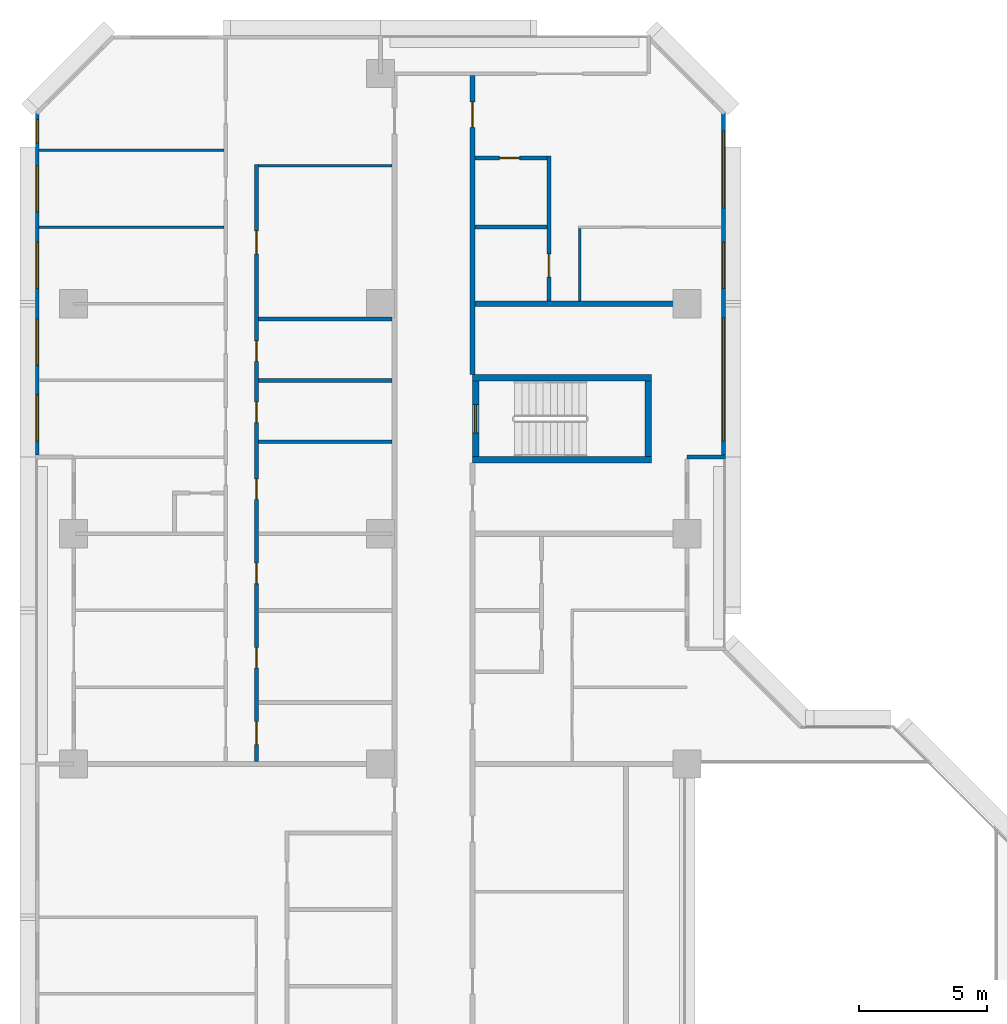
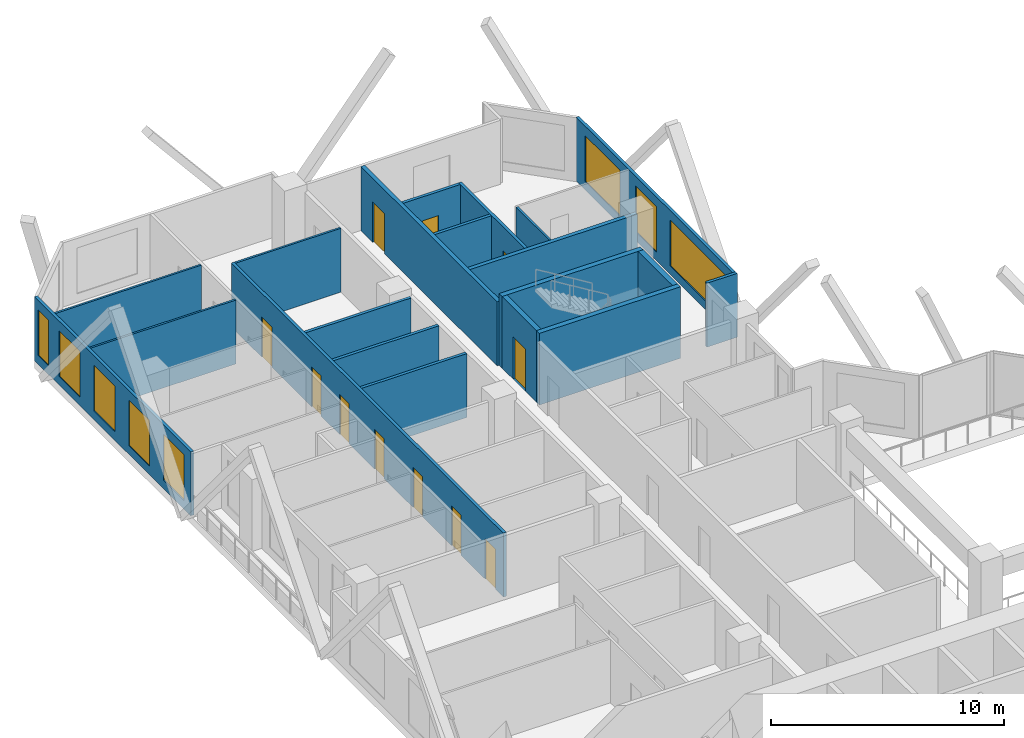
# One storey, part 10 of 15: 20 walls, 11 doors, 8 windows, 19 openings.
"""IFC4 building model written with IfcOpenShell, lengths in metres."""

from ifc_helpers import new_model, si_unit, direction, frame, frame_2d, origin, place, context, subcontext, project, spatial, rectangle, extrude, material, layer, layer_set, type_object, element, fill, save


model = new_model("IFC4")

# Units and contexts
model_context = context("Model", 3, precision=1e-05, world=origin(), true_north=direction((0.0, 1.0)))
body_context = subcontext(model_context, "Body", "Model", "MODEL_VIEW")
ifc_project = project(units=[si_unit("LENGTHUNIT", "METRE"), si_unit("AREAUNIT", "SQUARE_METRE"), si_unit("VOLUMEUNIT", "CUBIC_METRE"), si_unit("PLANEANGLEUNIT", "RADIAN"), si_unit("MASSUNIT", "GRAM", prefix="KILO")], contexts=[model_context])

# Site, building, storey
site_placement = place(None, origin())
site = spatial("IfcSite", under=ifc_project, at=site_placement, CompositionType="ELEMENT")
building_placement = place(site_placement, origin())
building = spatial("IfcBuilding", under=site, at=building_placement, Name="Chenar Terraces", CompositionType="ELEMENT")
storey_placement = place(building_placement, frame((0.0, 0.0, 56.39990234375)))
storey = spatial("IfcBuildingStorey", under=building, at=storey_placement, Name="L11", CompositionType="ELEMENT", Elevation=56.39990234375)

# Walls
ifc_material_1 = material(Name="Concrete C70/85", Category="concrete")
ifc_layer_1 = layer(ifc_material_1, 0.25)
ifc_layer_set_1 = layer_set([ifc_layer_1], Name="Concrete C70/85")
wall_type_1 = type_object("IfcWallType", Name="Core wall 250 Concrete C70/85", PredefinedType="SHEAR", material=ifc_layer_set_1)
for number, where, z_axis, x_axis, name in (
    (1, (15.60009765625, 47.89990234375, 0.0), (0.0, 0.0, 1.0), (1.0, 0.0, 0.0), "Core wall ST4_S L11"),
    (2, (15.60009765625, 51.10009765625, 0.0), (0.0, 0.0, 1.0), (1.0, 0.0, 0.0), "Core wall ST4_N L11"),
):
    element("IfcWall", number, at=place(storey_placement, frame(where, z_axis=z_axis, x_axis=x_axis)), inside=storey, type_object=wall_type_1, Name=name, PredefinedType="SHEAR", context=body_context, shape_type="SweptSolid", body=[
        extrude(rectangle(XDim=7.0, YDim=0.25, at=frame_2d((3.5, 0.0))), origin(), (0.0, 0.0, 1.0), 3.75),
    ])

# Wall, opening, door
wall_1_placement = place(storey_placement, frame((15.72509765625, 48.02490234375, 0.0), z_axis=(0.0, 0.0, 1.0), x_axis=(0.0, 1.0, 0.0)))
wall_1 = element("IfcWall", 3, at=wall_1_placement, inside=storey, type_object=wall_type_1, Name="Core wall ST4_W L11", PredefinedType="SHEAR", context=body_context, shape_type="SweptSolid", body=[
    extrude(rectangle(XDim=2.9501953125, YDim=0.25, at=frame_2d((1.47509765625, 0.0))), origin(), (0.0, 0.0, 1.0), 3.75),
])
opening_1_placement = place(wall_1_placement, frame((0.925048828125, 0.0, 0.0)))
opening_1 = element("IfcOpeningElement", 4, at=opening_1_placement, cuts=wall_1, Name="Opening DL11-C9", PredefinedType="OPENING", context=body_context, shape_type="SweptSolid", body=[
    extrude(rectangle(XDim=1.10009765625, YDim=2.199951171875, at=frame_2d((0.550048828125, 1.10009765625))), frame((0.0, 0.135009765625, 0.0), z_axis=(0.0, -1.0, 0.0), x_axis=(1.0, 0.0, 0.0)), (0.0, 0.0, 1.0), 0.27001953125),
])
ifc_material_2 = material(Name="Steel-framed fire-resisting door leaf", Category="steel")
door_type_1 = type_object("IfcDoorType", Name="Stair fire door FD60 1100 x 2200", OperationType="SINGLE_SWING_LEFT", PredefinedType="DOOR", material=ifc_material_2)
door_1_placement = place(opening_1_placement, frame((1.10009765625, 0.0, 0.0), z_axis=(0.0, 0.0, 1.0), x_axis=(-1.0, 0.0, 0.0)))
door_1 = element("IfcDoor", 5, at=door_1_placement, inside=storey, type_object=door_type_1, Name="Stair door DL11-C9", OperationType="SINGLE_SWING_RIGHT", OverallHeight=2.199951171875, OverallWidth=1.10009765625, PredefinedType="DOOR", context=body_context, shape_type="SweptSolid", body=[
    extrude(rectangle(XDim=1.10009765625, YDim=2.199951171875, at=frame_2d((0.550048828125, 1.10009765625))), frame((0.0, 0.02490234375, 0.0), z_axis=(0.0, -1.0, 0.0), x_axis=(1.0, 0.0, 0.0)), (0.0, 0.0, 1.0), 0.050048828125),
])
fill(opening_1, door_1)

# Wall
wall_2_placement = place(storey_placement, frame((22.47509765625, 48.02490234375, 0.0), z_axis=(0.0, 0.0, 1.0), x_axis=(0.0, 1.0, 0.0)))
element("IfcWall", 6, at=wall_2_placement, inside=storey, type_object=wall_type_1, Name="Core wall ST4_E L11", PredefinedType="SHEAR", context=body_context, shape_type="SweptSolid", body=[
    extrude(rectangle(XDim=2.9501953125, YDim=0.25, at=frame_2d((1.47509765625, 0.0))), origin(), (0.0, 0.0, 1.0), 3.75),
])

# Wall, opening, door
ifc_material_3 = material(Name="Gypsum board on steel studs with fire boards", Category="steel")
ifc_layer_2 = layer(ifc_material_3, 0.199951171875)
ifc_layer_set_2 = layer_set([ifc_layer_2], Name="Gypsum board on steel studs with fire boards")
wall_type_2 = type_object("IfcWallType", Name="Corridor wall 200", PredefinedType="PARTITIONING", material=ifc_layer_set_2)
wall_3_placement = place(storey_placement, frame((15.60009765625, 51.22509765625, 0.0), z_axis=(0.0, 0.0, 1.0), x_axis=(0.0, 1.0, 0.0)))
wall_3 = element("IfcWall", 7, at=wall_3_placement, inside=storey, type_object=wall_type_2, Name="Partition L11-038", PredefinedType="PARTITIONING", context=body_context, shape_type="SweptSolid", body=[
    extrude(rectangle(XDim=11.700927734375, YDim=0.199951171875, at=frame_2d((5.8505859375, 0.0))), origin(), (0.0, 0.0, 1.0), 3.35009765625),
])
opening_2_placement = place(wall_3_placement, frame((9.675048828125, 0.0, 0.0)))
opening_2 = element("IfcOpeningElement", 8, at=opening_2_placement, cuts=wall_3, Name="Opening DL11-31", PredefinedType="OPENING", context=body_context, shape_type="SweptSolid", body=[
    extrude(rectangle(XDim=1.0, YDim=2.10009765625, at=frame_2d((0.5, 1.050048828125))), frame((0.0, 0.10986328125, 0.0), z_axis=(0.0, -1.0, 0.0), x_axis=(1.0, 0.0, 0.0)), (0.0, 0.0, 1.0), 0.219970703125),
])
ifc_material_4 = material(Name="Steel-framed fire-resisting door leaf", Category="steel")
door_type_2 = type_object("IfcDoorType", Name="Fire door FD30S 1000 x 2100", OperationType="SINGLE_SWING_LEFT", PredefinedType="DOOR", material=ifc_material_4)
door_2_placement = place(opening_2_placement, frame((1.0, 0.0, 0.0), z_axis=(0.0, 0.0, 1.0), x_axis=(-1.0, 0.0, 0.0)))
door_2 = element("IfcDoor", 9, at=door_2_placement, inside=storey, type_object=door_type_2, Name="Door DL11-31", OperationType="SINGLE_SWING_LEFT", OverallHeight=2.10009765625, OverallWidth=1.0, PredefinedType="DOOR", context=body_context, shape_type="SweptSolid", body=[
    extrude(rectangle(XDim=1.0, YDim=2.10009765625, at=frame_2d((0.5, 1.050048828125))), frame((0.0, 0.02490234375, 0.0), z_axis=(0.0, -1.0, 0.0), x_axis=(1.0, 0.0, 0.0)), (0.0, 0.0, 1.0), 0.050048828125),
])
fill(opening_2, door_2)

# Wall, openings, windows
ifc_material_5 = material(Name="Aluminium framed glazing", Category="aluminium")
ifc_layer_3 = layer(ifc_material_5, 0.14990234375)
ifc_layer_set_3 = layer_set([ifc_layer_3], Name="Aluminium framed glazing")
wall_type_3 = type_object("IfcWallType", Name="Glazed flush facade wall 150", PredefinedType="SOLIDWALL", material=ifc_layer_set_3)
wall_4_placement = place(storey_placement, frame((25.425048828125, 48.074951171875, 0.0), z_axis=(0.0, 0.0, 1.0), x_axis=(0.0, 1.0, 0.0)))
wall_4 = element("IfcWall", 10, at=wall_4_placement, inside=storey, type_object=wall_type_3, Name="Glazed flush facade wall", PredefinedType="SOLIDWALL", context=body_context, shape_type="SweptSolid", body=[
    extrude(rectangle(XDim=13.425048828125, YDim=0.14990234375, at=frame_2d((6.71240234375, 0.0))), origin(), (0.0, 0.0, 1.0), 3.35009765625),
])
opening_3_placement = place(wall_4_placement, frame((0.5625, 0.0, 0.449951171875)))
opening_3 = element("IfcOpeningElement", 11, at=opening_3_placement, cuts=wall_4, Name="Opening W480x240", PredefinedType="OPENING", context=body_context, shape_type="SweptSolid", body=[
    extrude(rectangle(XDim=4.800048828125, YDim=2.39990234375, at=frame_2d((2.39990234375, 1.199951171875))), frame((0.0, 0.0849609375, 0.0), z_axis=(0.0, -1.0, 0.0), x_axis=(1.0, 0.0, 0.0)), (0.0, 0.0, 1.0), 0.169921875),
])
opening_4_placement = place(wall_4_placement, frame((6.52490234375, 0.0, 0.449951171875)))
opening_4 = element("IfcOpeningElement", 12, at=opening_4_placement, cuts=wall_4, Name="Opening W180x240", PredefinedType="OPENING", context=body_context, shape_type="SweptSolid", body=[
    extrude(rectangle(XDim=1.800048828125, YDim=2.39990234375, at=frame_2d((0.89990234375, 1.199951171875))), frame((0.0, 0.0849609375, 0.0), z_axis=(0.0, -1.0, 0.0), x_axis=(1.0, 0.0, 0.0)), (0.0, 0.0, 1.0), 0.169921875),
])
opening_5_placement = place(wall_4_placement, frame((9.675048828125, 0.0, 0.449951171875)))
opening_5 = element("IfcOpeningElement", 13, at=opening_5_placement, cuts=wall_4, Name="Opening W300x240", PredefinedType="OPENING", context=body_context, shape_type="SweptSolid", body=[
    extrude(rectangle(XDim=3.0, YDim=2.39990234375, at=frame_2d((1.5, 1.199951171875))), frame((0.0, 0.0849609375, 0.0), z_axis=(0.0, -1.0, 0.0), x_axis=(1.0, 0.0, 0.0)), (0.0, 0.0, 1.0), 0.169921875),
])
ifc_material_6 = material(Name="Low emissivity double glazing, aluminium frame", Category="aluminium")
window_type_1 = type_object("IfcWindowType", Name="Fixed light 1800 x 2400", PartitioningType="SINGLE_PANEL", PredefinedType="WINDOW", material=ifc_material_6)
window_1_placement = place(opening_4_placement, origin())
window_1 = element("IfcWindow", 14, at=window_1_placement, inside=storey, type_object=window_type_1, Name="Window", OverallHeight=2.39990234375, OverallWidth=1.800048828125, PartitioningType="SINGLE_PANEL", PredefinedType="WINDOW", context=body_context, shape_type="SweptSolid", body=[
    extrude(rectangle(XDim=1.800048828125, YDim=2.39990234375, at=frame_2d((0.89990234375, 1.199951171875))), frame((0.0, 0.030029296875, 0.0), z_axis=(0.0, -1.0, 0.0), x_axis=(1.0, 0.0, 0.0)), (0.0, 0.0, 1.0), 0.06005859375),
])
fill(opening_4, window_1)
ifc_material_7 = material(Name="Low emissivity double glazing, aluminium frame", Category="aluminium")
window_type_2 = type_object("IfcWindowType", Name="Fixed light 3000 x 2400", PartitioningType="SINGLE_PANEL", PredefinedType="WINDOW", material=ifc_material_7)
window_2_placement = place(opening_5_placement, origin())
window_2 = element("IfcWindow", 15, at=window_2_placement, inside=storey, type_object=window_type_2, Name="Window", OverallHeight=2.39990234375, OverallWidth=3.0, PartitioningType="SINGLE_PANEL", PredefinedType="WINDOW", context=body_context, shape_type="SweptSolid", body=[
    extrude(rectangle(XDim=3.0, YDim=2.39990234375, at=frame_2d((1.5, 1.199951171875))), frame((0.0, 0.030029296875, 0.0), z_axis=(0.0, -1.0, 0.0), x_axis=(1.0, 0.0, 0.0)), (0.0, 0.0, 1.0), 0.06005859375),
])
fill(opening_5, window_2)
ifc_material_8 = material(Name="Low emissivity double glazing, aluminium frame", Category="aluminium")
window_type_3 = type_object("IfcWindowType", Name="Fixed light 4800 x 2400", PartitioningType="SINGLE_PANEL", PredefinedType="WINDOW", material=ifc_material_8)
window_3_placement = place(opening_3_placement, origin())
window_3 = element("IfcWindow", 16, at=window_3_placement, inside=storey, type_object=window_type_3, Name="Window", OverallHeight=2.39990234375, OverallWidth=4.800048828125, PartitioningType="SINGLE_PANEL", PredefinedType="WINDOW", context=body_context, shape_type="SweptSolid", body=[
    extrude(rectangle(XDim=4.800048828125, YDim=2.39990234375, at=frame_2d((2.39990234375, 1.199951171875))), frame((0.0, 0.030029296875, 0.0), z_axis=(0.0, -1.0, 0.0), x_axis=(1.0, 0.0, 0.0)), (0.0, 0.0, 1.0), 0.06005859375),
])
fill(opening_3, window_3)

wall_5_placement = place(storey_placement, frame((-1.425048828125, 61.5, 0.0), z_axis=(0.0, 0.0, 1.0), x_axis=(0.0, -1.0, 0.0)))
wall_5 = element("IfcWall", 17, at=wall_5_placement, inside=storey, type_object=wall_type_3, Name="Glazed flush facade wall", PredefinedType="SOLIDWALL", context=body_context, shape_type="SweptSolid", body=[
    extrude(rectangle(XDim=13.425048828125, YDim=0.14990234375, at=frame_2d((6.71240234375, 0.0))), origin(), (0.0, 0.0, 1.0), 3.35009765625),
])
opening_6_placement = place(wall_5_placement, frame((0.300048828125, 0.0, 0.449951171875)))
opening_6 = element("IfcOpeningElement", 18, at=opening_6_placement, cuts=wall_5, Name="Opening W90x240", PredefinedType="OPENING", context=body_context, shape_type="SweptSolid", body=[
    extrude(rectangle(XDim=0.89990234375, YDim=2.39990234375, at=frame_2d((0.449951171875, 1.199951171875))), frame((0.0, 0.0849609375, 0.0), z_axis=(0.0, -1.0, 0.0), x_axis=(1.0, 0.0, 0.0)), (0.0, 0.0, 1.0), 0.169921875),
])
opening_7_placement = place(wall_5_placement, frame((2.10009765625, 0.0, 0.449951171875)))
opening_7 = element("IfcOpeningElement", 19, at=opening_7_placement, cuts=wall_5, Name="Opening W180x240", PredefinedType="OPENING", context=body_context, shape_type="SweptSolid", body=[
    extrude(rectangle(XDim=1.800048828125, YDim=2.39990234375, at=frame_2d((0.89990234375, 1.199951171875))), frame((0.0, 0.0849609375, 0.0), z_axis=(0.0, -1.0, 0.0), x_axis=(1.0, 0.0, 0.0)), (0.0, 0.0, 1.0), 0.169921875),
])
opening_8_placement = place(wall_5_placement, frame((5.10009765625, 0.0, 0.449951171875)))
opening_8 = element("IfcOpeningElement", 20, at=opening_8_placement, cuts=wall_5, Name="Opening W180x240", PredefinedType="OPENING", context=body_context, shape_type="SweptSolid", body=[
    extrude(rectangle(XDim=1.800048828125, YDim=2.39990234375, at=frame_2d((0.89990234375, 1.199951171875))), frame((0.0, 0.0849609375, 0.0), z_axis=(0.0, -1.0, 0.0), x_axis=(1.0, 0.0, 0.0)), (0.0, 0.0, 1.0), 0.169921875),
])
opening_9_placement = place(wall_5_placement, frame((8.10009765625, 0.0, 0.449951171875)))
opening_9 = element("IfcOpeningElement", 21, at=opening_9_placement, cuts=wall_5, Name="Opening W180x240", PredefinedType="OPENING", context=body_context, shape_type="SweptSolid", body=[
    extrude(rectangle(XDim=1.800048828125, YDim=2.39990234375, at=frame_2d((0.89990234375, 1.199951171875))), frame((0.0, 0.0849609375, 0.0), z_axis=(0.0, -1.0, 0.0), x_axis=(1.0, 0.0, 0.0)), (0.0, 0.0, 1.0), 0.169921875),
])
opening_10_placement = place(wall_5_placement, frame((11.0625, 0.0, 0.449951171875)))
opening_10 = element("IfcOpeningElement", 22, at=opening_10_placement, cuts=wall_5, Name="Opening W180x240", PredefinedType="OPENING", context=body_context, shape_type="SweptSolid", body=[
    extrude(rectangle(XDim=1.800048828125, YDim=2.39990234375, at=frame_2d((0.89990234375, 1.199951171875))), frame((0.0, 0.0849609375, 0.0), z_axis=(0.0, -1.0, 0.0), x_axis=(1.0, 0.0, 0.0)), (0.0, 0.0, 1.0), 0.169921875),
])
window_4_placement = place(opening_7_placement, origin())
window_4 = element("IfcWindow", 23, at=window_4_placement, inside=storey, type_object=window_type_1, Name="Window", OverallHeight=2.39990234375, OverallWidth=1.800048828125, PartitioningType="SINGLE_PANEL", PredefinedType="WINDOW", context=body_context, shape_type="SweptSolid", body=[
    extrude(rectangle(XDim=1.800048828125, YDim=2.39990234375, at=frame_2d((0.89990234375, 1.199951171875))), frame((0.0, 0.030029296875, 0.0), z_axis=(0.0, -1.0, 0.0), x_axis=(1.0, 0.0, 0.0)), (0.0, 0.0, 1.0), 0.06005859375),
])
fill(opening_7, window_4)
window_5_placement = place(opening_8_placement, origin())
window_5 = element("IfcWindow", 24, at=window_5_placement, inside=storey, type_object=window_type_1, Name="Window", OverallHeight=2.39990234375, OverallWidth=1.800048828125, PartitioningType="SINGLE_PANEL", PredefinedType="WINDOW", context=body_context, shape_type="SweptSolid", body=[
    extrude(rectangle(XDim=1.800048828125, YDim=2.39990234375, at=frame_2d((0.89990234375, 1.199951171875))), frame((0.0, 0.030029296875, 0.0), z_axis=(0.0, -1.0, 0.0), x_axis=(1.0, 0.0, 0.0)), (0.0, 0.0, 1.0), 0.06005859375),
])
fill(opening_8, window_5)
window_6_placement = place(opening_9_placement, origin())
window_6 = element("IfcWindow", 25, at=window_6_placement, inside=storey, type_object=window_type_1, Name="Window", OverallHeight=2.39990234375, OverallWidth=1.800048828125, PartitioningType="SINGLE_PANEL", PredefinedType="WINDOW", context=body_context, shape_type="SweptSolid", body=[
    extrude(rectangle(XDim=1.800048828125, YDim=2.39990234375, at=frame_2d((0.89990234375, 1.199951171875))), frame((0.0, 0.030029296875, 0.0), z_axis=(0.0, -1.0, 0.0), x_axis=(1.0, 0.0, 0.0)), (0.0, 0.0, 1.0), 0.06005859375),
])
fill(opening_9, window_6)
window_7_placement = place(opening_10_placement, origin())
window_7 = element("IfcWindow", 26, at=window_7_placement, inside=storey, type_object=window_type_1, Name="Window", OverallHeight=2.39990234375, OverallWidth=1.800048828125, PartitioningType="SINGLE_PANEL", PredefinedType="WINDOW", context=body_context, shape_type="SweptSolid", body=[
    extrude(rectangle(XDim=1.800048828125, YDim=2.39990234375, at=frame_2d((0.89990234375, 1.199951171875))), frame((0.0, 0.030029296875, 0.0), z_axis=(0.0, -1.0, 0.0), x_axis=(1.0, 0.0, 0.0)), (0.0, 0.0, 1.0), 0.06005859375),
])
fill(opening_10, window_7)
ifc_material_9 = material(Name="Low emissivity double glazing, aluminium frame", Category="aluminium")
window_type_4 = type_object("IfcWindowType", Name="Fixed light 900 x 2400", PartitioningType="SINGLE_PANEL", PredefinedType="WINDOW", material=ifc_material_9)
window_8_placement = place(opening_6_placement, origin())
window_8 = element("IfcWindow", 27, at=window_8_placement, inside=storey, type_object=window_type_4, Name="Window", OverallHeight=2.39990234375, OverallWidth=0.89990234375, PartitioningType="SINGLE_PANEL", PredefinedType="WINDOW", context=body_context, shape_type="SweptSolid", body=[
    extrude(rectangle(XDim=0.89990234375, YDim=2.39990234375, at=frame_2d((0.449951171875, 1.199951171875))), frame((0.0, 0.030029296875, 0.0), z_axis=(0.0, -1.0, 0.0), x_axis=(1.0, 0.0, 0.0)), (0.0, 0.0, 1.0), 0.06005859375),
])
fill(opening_6, window_8)

# Walls
ifc_material_10 = material(Name="Gypsum board on steel studs", Category="steel")
ifc_layer_4 = layer(ifc_material_10, 0.10009765625)
ifc_layer_set_4 = layer_set([ifc_layer_4], Name="Gypsum board on steel studs")
wall_type_4 = type_object("IfcWallType", Name="Gypsum partition 100", PredefinedType="PARTITIONING", material=ifc_layer_set_4)
for number, where, z_axis, x_axis, name in (
    (28, (-1.35107421875, 57.0, 0.0), (0.0, 0.0, 1.0), (1.0, 0.0, 0.0), "Partition L11-002"),
    (29, (-1.35107421875, 60.0, 0.0), (0.0, 0.0, 1.0), (1.0, 0.0, 0.0), "Partition L11-003"),
):
    element("IfcWall", number, at=place(storey_placement, frame(where, z_axis=z_axis, x_axis=x_axis)), inside=storey, type_object=wall_type_4, Name=name, PredefinedType="PARTITIONING", context=body_context, shape_type="SweptSolid", body=[
        extrude(rectangle(XDim=7.22607421875, YDim=0.10009765625, at=frame_2d((3.613037109375, 0.0))), origin(), (0.0, 0.0, 1.0), 3.35009765625),
    ])
wall_6_placement = place(storey_placement, frame((7.22509765625, 59.39990234375, 0.0), z_axis=(0.0, 0.0, 1.0), x_axis=(1.0, 0.0, 0.0)))
element("IfcWall", 30, at=wall_6_placement, inside=storey, type_object=wall_type_4, Name="Partition L11-026", PredefinedType="PARTITIONING", context=body_context, shape_type="SweptSolid", body=[
    extrude(rectangle(XDim=5.224853515625, YDim=0.10009765625, at=frame_2d((2.6123046875, 0.0))), origin(), (0.0, 0.0, 1.0), 3.35009765625),
])
wall_7_placement = place(storey_placement, frame((19.800048828125, 54.10009765625, 0.0), z_axis=(0.0, 0.0, 1.0), x_axis=(0.0, 1.0, 0.0)))
element("IfcWall", 31, at=wall_7_placement, inside=storey, type_object=wall_type_4, Name="Partition L11-055", PredefinedType="PARTITIONING", context=body_context, shape_type="SweptSolid", body=[
    extrude(rectangle(XDim=2.849853515625, YDim=0.10009765625, at=frame_2d((1.4248046875, 0.0))), origin(), (0.0, 0.0, 1.0), 3.35009765625),
])
ifc_material_11 = material(Name="Terracotta cladding on insulated backing", Category="masonry")
ifc_layer_5 = layer(ifc_material_11, 0.14990234375)
ifc_layer_set_5 = layer_set([ifc_layer_5], Name="Terracotta cladding on insulated backing")
wall_type_5 = type_object("IfcWallType", Name="Loggia return wall 150", PredefinedType="SOLIDWALL", material=ifc_layer_set_5)
wall_8_placement = place(storey_placement, frame((25.5, 48.0, 0.0), z_axis=(0.0, 0.0, 1.0), x_axis=(-1.0, 0.0, 0.0)))
element("IfcWall", 32, at=wall_8_placement, inside=storey, type_object=wall_type_5, Name="Loggia return wall", PredefinedType="SOLIDWALL", context=body_context, shape_type="SweptSolid", body=[
    extrude(rectangle(XDim=1.5, YDim=0.14990234375, at=frame_2d((0.75, 0.0))), origin(), (0.0, 0.0, 1.0), 3.35009765625),
])
ifc_material_12 = material(Name="Twin gypsum board on steel studs with mineral wool", Category="steel")
ifc_layer_6 = layer(ifc_material_12, 0.199951171875)
ifc_layer_set_6 = layer_set([ifc_layer_6], Name="Twin gypsum board on steel studs with mineral wool")
wall_type_6 = type_object("IfcWallType", Name="Unit demising wall 200", PredefinedType="PARTITIONING", material=ifc_layer_set_6)
wall_9_placement = place(storey_placement, frame((15.699951171875, 54.0, 0.0), z_axis=(0.0, 0.0, 1.0), x_axis=(1.0, 0.0, 0.0)))
element("IfcWall", 33, at=wall_9_placement, inside=storey, type_object=wall_type_6, Name="Partition L11-045", PredefinedType="PARTITIONING", context=body_context, shape_type="SweptSolid", body=[
    extrude(rectangle(XDim=8.300048828125, YDim=0.199951171875, at=frame_2d((4.14990234375, 0.0))), origin(), (0.0, 0.0, 1.0), 3.35009765625),
])

# Wall, openings, doors
ifc_material_13 = material(Name="Moisture-resistant gypsum board on steel studs", Category="steel")
ifc_layer_7 = layer(ifc_material_13, 0.14990234375)
ifc_layer_set_7 = layer_set([ifc_layer_7], Name="Moisture-resistant gypsum board on steel studs")
wall_type_7 = type_object("IfcWallType", Name="Wet-room partition 150", PredefinedType="PARTITIONING", material=ifc_layer_set_7)
wall_10_placement = place(storey_placement, frame((7.14990234375, 36.10009765625, 0.0), z_axis=(0.0, 0.0, 1.0), x_axis=(0.0, 1.0, 0.0)))
wall_10 = element("IfcWall", 34, at=wall_10_placement, inside=storey, type_object=wall_type_7, Name="Partition L11-019", PredefinedType="PARTITIONING", context=body_context, shape_type="SweptSolid", body=[
    extrude(rectangle(XDim=23.349853515625, YDim=0.14990234375, at=frame_2d((11.6748046875, 0.0))), origin(), (0.0, 0.0, 1.0), 3.35009765625),
])
opening_11_placement = place(wall_10_placement, frame((10.25, 0.0, 0.0)))
opening_11 = element("IfcOpeningElement", 35, at=opening_11_placement, cuts=wall_10, Name="Opening DL11-32", PredefinedType="OPENING", context=body_context, shape_type="SweptSolid", body=[
    extrude(rectangle(XDim=0.800048828125, YDim=2.10009765625, at=frame_2d((0.39990234375, 1.050048828125))), frame((0.0, 0.0849609375, 0.0), z_axis=(0.0, -1.0, 0.0), x_axis=(1.0, 0.0, 0.0)), (0.0, 0.0, 1.0), 0.169921875),
])
opening_12_placement = place(wall_10_placement, frame((19.85009765625, 0.0, 0.0)))
opening_12 = element("IfcOpeningElement", 36, at=opening_12_placement, cuts=wall_10, Name="Opening DL11-39", PredefinedType="OPENING", context=body_context, shape_type="SweptSolid", body=[
    extrude(rectangle(XDim=0.89990234375, YDim=2.10009765625, at=frame_2d((0.449951171875, 1.050048828125))), frame((0.0, 0.0849609375, 0.0), z_axis=(0.0, -1.0, 0.0), x_axis=(1.0, 0.0, 0.0)), (0.0, 0.0, 1.0), 0.169921875),
])
opening_13_placement = place(wall_10_placement, frame((3.64990234375, 0.0, 0.0)))
opening_13 = element("IfcOpeningElement", 37, at=opening_13_placement, cuts=wall_10, Name="Opening DL11-40", PredefinedType="OPENING", context=body_context, shape_type="SweptSolid", body=[
    extrude(rectangle(XDim=0.800048828125, YDim=2.10009765625, at=frame_2d((0.39990234375, 1.050048828125))), frame((0.0, 0.0849609375, 0.0), z_axis=(0.0, -1.0, 0.0), x_axis=(1.0, 0.0, 0.0)), (0.0, 0.0, 1.0), 0.169921875),
])
opening_14_placement = place(wall_10_placement, frame((13.25, 0.0, 0.0)))
opening_14 = element("IfcOpeningElement", 38, at=opening_14_placement, cuts=wall_10, Name="Opening DL11-41", PredefinedType="OPENING", context=body_context, shape_type="SweptSolid", body=[
    extrude(rectangle(XDim=0.800048828125, YDim=2.10009765625, at=frame_2d((0.39990234375, 1.050048828125))), frame((0.0, 0.0849609375, 0.0), z_axis=(0.0, -1.0, 0.0), x_axis=(1.0, 0.0, 0.0)), (0.0, 0.0, 1.0), 0.169921875),
])
opening_15_placement = place(wall_10_placement, frame((15.64990234375, 0.0, 0.0)))
opening_15 = element("IfcOpeningElement", 39, at=opening_15_placement, cuts=wall_10, Name="Opening DL11-42", PredefinedType="OPENING", context=body_context, shape_type="SweptSolid", body=[
    extrude(rectangle(XDim=0.800048828125, YDim=2.10009765625, at=frame_2d((0.39990234375, 1.050048828125))), frame((0.0, 0.0849609375, 0.0), z_axis=(0.0, -1.0, 0.0), x_axis=(1.0, 0.0, 0.0)), (0.0, 0.0, 1.0), 0.169921875),
])
opening_16_placement = place(wall_10_placement, frame((0.64990234375, 0.0, 0.0)))
opening_16 = element("IfcOpeningElement", 40, at=opening_16_placement, cuts=wall_10, Name="Opening DL11-47", PredefinedType="OPENING", context=body_context, shape_type="SweptSolid", body=[
    extrude(rectangle(XDim=0.89990234375, YDim=2.10009765625, at=frame_2d((0.449951171875, 1.050048828125))), frame((0.0, 0.0849609375, 0.0), z_axis=(0.0, -1.0, 0.0), x_axis=(1.0, 0.0, 0.0)), (0.0, 0.0, 1.0), 0.169921875),
])
opening_17_placement = place(wall_10_placement, frame((6.949951171875, 0.0, 0.0)))
opening_17 = element("IfcOpeningElement", 41, at=opening_17_placement, cuts=wall_10, Name="Opening DL11-49", PredefinedType="OPENING", context=body_context, shape_type="SweptSolid", body=[
    extrude(rectangle(XDim=0.800048828125, YDim=2.10009765625, at=frame_2d((0.39990234375, 1.050048828125))), frame((0.0, 0.0849609375, 0.0), z_axis=(0.0, -1.0, 0.0), x_axis=(1.0, 0.0, 0.0)), (0.0, 0.0, 1.0), 0.169921875),
])
ifc_material_14 = material(Name="Veneered timber door leaf", Category="wood")
door_type_3 = type_object("IfcDoorType", Name="Door 800 x 2100", OperationType="SINGLE_SWING_LEFT", PredefinedType="DOOR", material=ifc_material_14)
door_3_placement = place(opening_11_placement, frame((0.800048828125, 0.0, 0.0), z_axis=(0.0, 0.0, 1.0), x_axis=(-1.0, 0.0, 0.0)))
door_3 = element("IfcDoor", 42, at=door_3_placement, inside=storey, type_object=door_type_3, Name="Door DL11-32", OperationType="SINGLE_SWING_RIGHT", OverallHeight=2.10009765625, OverallWidth=0.800048828125, PredefinedType="DOOR", context=body_context, shape_type="SweptSolid", body=[
    extrude(rectangle(XDim=0.800048828125, YDim=2.10009765625, at=frame_2d((0.39990234375, 1.050048828125))), frame((0.0, 0.02490234375, 0.0), z_axis=(0.0, -1.0, 0.0), x_axis=(1.0, 0.0, 0.0)), (0.0, 0.0, 1.0), 0.050048828125),
])
fill(opening_11, door_3)
door_4_placement = place(opening_13_placement, frame((0.800048828125, 0.0, 0.0), z_axis=(0.0, 0.0, 1.0), x_axis=(-1.0, 0.0, 0.0)))
door_4 = element("IfcDoor", 43, at=door_4_placement, inside=storey, type_object=door_type_3, Name="Door DL11-40", OperationType="SINGLE_SWING_RIGHT", OverallHeight=2.10009765625, OverallWidth=0.800048828125, PredefinedType="DOOR", context=body_context, shape_type="SweptSolid", body=[
    extrude(rectangle(XDim=0.800048828125, YDim=2.10009765625, at=frame_2d((0.39990234375, 1.050048828125))), frame((0.0, 0.02490234375, 0.0), z_axis=(0.0, -1.0, 0.0), x_axis=(1.0, 0.0, 0.0)), (0.0, 0.0, 1.0), 0.050048828125),
])
fill(opening_13, door_4)
door_5_placement = place(opening_14_placement, frame((0.800048828125, 0.0, 0.0), z_axis=(0.0, 0.0, 1.0), x_axis=(-1.0, 0.0, 0.0)))
door_5 = element("IfcDoor", 44, at=door_5_placement, inside=storey, type_object=door_type_3, Name="Door DL11-41", OperationType="SINGLE_SWING_RIGHT", OverallHeight=2.10009765625, OverallWidth=0.800048828125, PredefinedType="DOOR", context=body_context, shape_type="SweptSolid", body=[
    extrude(rectangle(XDim=0.800048828125, YDim=2.10009765625, at=frame_2d((0.39990234375, 1.050048828125))), frame((0.0, 0.02490234375, 0.0), z_axis=(0.0, -1.0, 0.0), x_axis=(1.0, 0.0, 0.0)), (0.0, 0.0, 1.0), 0.050048828125),
])
fill(opening_14, door_5)
door_6_placement = place(opening_15_placement, frame((0.800048828125, 0.0, 0.0), z_axis=(0.0, 0.0, 1.0), x_axis=(-1.0, 0.0, 0.0)))
door_6 = element("IfcDoor", 45, at=door_6_placement, inside=storey, type_object=door_type_3, Name="Door DL11-42", OperationType="SINGLE_SWING_RIGHT", OverallHeight=2.10009765625, OverallWidth=0.800048828125, PredefinedType="DOOR", context=body_context, shape_type="SweptSolid", body=[
    extrude(rectangle(XDim=0.800048828125, YDim=2.10009765625, at=frame_2d((0.39990234375, 1.050048828125))), frame((0.0, 0.02490234375, 0.0), z_axis=(0.0, -1.0, 0.0), x_axis=(1.0, 0.0, 0.0)), (0.0, 0.0, 1.0), 0.050048828125),
])
fill(opening_15, door_6)
door_7_placement = place(opening_17_placement, frame((0.800048828125, 0.0, 0.0), z_axis=(0.0, 0.0, 1.0), x_axis=(-1.0, 0.0, 0.0)))
door_7 = element("IfcDoor", 46, at=door_7_placement, inside=storey, type_object=door_type_3, Name="Door DL11-49", OperationType="SINGLE_SWING_RIGHT", OverallHeight=2.10009765625, OverallWidth=0.800048828125, PredefinedType="DOOR", context=body_context, shape_type="SweptSolid", body=[
    extrude(rectangle(XDim=0.800048828125, YDim=2.10009765625, at=frame_2d((0.39990234375, 1.050048828125))), frame((0.0, 0.02490234375, 0.0), z_axis=(0.0, -1.0, 0.0), x_axis=(1.0, 0.0, 0.0)), (0.0, 0.0, 1.0), 0.050048828125),
])
fill(opening_17, door_7)
ifc_material_15 = material(Name="Veneered timber door leaf", Category="wood")
door_type_4 = type_object("IfcDoorType", Name="Door 900 x 2100", OperationType="SINGLE_SWING_LEFT", PredefinedType="DOOR", material=ifc_material_15)
door_8_placement = place(opening_12_placement, frame((0.89990234375, 0.0, 0.0), z_axis=(0.0, 0.0, 1.0), x_axis=(-1.0, 0.0, 0.0)))
door_8 = element("IfcDoor", 47, at=door_8_placement, inside=storey, type_object=door_type_4, Name="Door DL11-39", OperationType="SINGLE_SWING_LEFT", OverallHeight=2.10009765625, OverallWidth=0.89990234375, PredefinedType="DOOR", context=body_context, shape_type="SweptSolid", body=[
    extrude(rectangle(XDim=0.89990234375, YDim=2.10009765625, at=frame_2d((0.449951171875, 1.050048828125))), frame((0.0, 0.02490234375, 0.0), z_axis=(0.0, -1.0, 0.0), x_axis=(1.0, 0.0, 0.0)), (0.0, 0.0, 1.0), 0.050048828125),
])
fill(opening_12, door_8)
door_9_placement = place(opening_16_placement, frame((0.89990234375, 0.0, 0.0), z_axis=(0.0, 0.0, 1.0), x_axis=(-1.0, 0.0, 0.0)))
door_9 = element("IfcDoor", 48, at=door_9_placement, inside=storey, type_object=door_type_4, Name="Door DL11-47", OperationType="SINGLE_SWING_LEFT", OverallHeight=2.10009765625, OverallWidth=0.89990234375, PredefinedType="DOOR", context=body_context, shape_type="SweptSolid", body=[
    extrude(rectangle(XDim=0.89990234375, YDim=2.10009765625, at=frame_2d((0.449951171875, 1.050048828125))), frame((0.0, 0.02490234375, 0.0), z_axis=(0.0, -1.0, 0.0), x_axis=(1.0, 0.0, 0.0)), (0.0, 0.0, 1.0), 0.050048828125),
])
fill(opening_16, door_9)

# Walls
for number, where, z_axis, x_axis, name in (
    (49, (7.22509765625, 48.60009765625, 0.0), (0.0, 0.0, 1.0), (1.0, 0.0, 0.0), "Partition L11-023"),
    (50, (7.22509765625, 51.0, 0.0), (0.0, 0.0, 1.0), (1.0, 0.0, 0.0), "Partition L11-024"),
    (51, (7.22509765625, 53.39990234375, 0.0), (0.0, 0.0, 1.0), (1.0, 0.0, 0.0), "Partition L11-025"),
):
    element("IfcWall", number, at=place(storey_placement, frame(where, z_axis=z_axis, x_axis=x_axis)), inside=storey, type_object=wall_type_7, Name=name, PredefinedType="PARTITIONING", context=body_context, shape_type="SweptSolid", body=[
        extrude(rectangle(XDim=5.224853515625, YDim=0.14990234375, at=frame_2d((2.6123046875, 0.0))), origin(), (0.0, 0.0, 1.0), 3.35009765625),
    ])
wall_11_placement = place(storey_placement, frame((15.699951171875, 57.0, 0.0), z_axis=(0.0, 0.0, 1.0), x_axis=(1.0, 0.0, 0.0)))
element("IfcWall", 52, at=wall_11_placement, inside=storey, type_object=wall_type_7, Name="Partition L11-046", PredefinedType="PARTITIONING", context=body_context, shape_type="SweptSolid", body=[
    extrude(rectangle(XDim=2.824951171875, YDim=0.14990234375, at=frame_2d((1.41259765625, 0.0))), origin(), (0.0, 0.0, 1.0), 3.35009765625),
])

# Wall, opening, door
wall_12_placement = place(storey_placement, frame((15.699951171875, 59.699951171875, 0.0), z_axis=(0.0, 0.0, 1.0), x_axis=(1.0, 0.0, 0.0)))
wall_12 = element("IfcWall", 53, at=wall_12_placement, inside=storey, type_object=wall_type_7, Name="Partition L11-047", PredefinedType="PARTITIONING", context=body_context, shape_type="SweptSolid", body=[
    extrude(rectangle(XDim=2.824951171875, YDim=0.14990234375, at=frame_2d((1.41259765625, 0.0))), origin(), (0.0, 0.0, 1.0), 3.35009765625),
])
opening_18_placement = place(wall_12_placement, frame((0.949951171875, 0.0, 0.0)))
opening_18 = element("IfcOpeningElement", 54, at=opening_18_placement, cuts=wall_12, Name="Opening DL11-28", PredefinedType="OPENING", context=body_context, shape_type="SweptSolid", body=[
    extrude(rectangle(XDim=0.800048828125, YDim=2.10009765625, at=frame_2d((0.39990234375, 1.050048828125))), frame((0.0, 0.0849609375, 0.0), z_axis=(0.0, -1.0, 0.0), x_axis=(1.0, 0.0, 0.0)), (0.0, 0.0, 1.0), 0.169921875),
])
door_10_placement = place(opening_18_placement, frame((0.800048828125, 0.0, 0.0), z_axis=(0.0, 0.0, 1.0), x_axis=(-1.0, 0.0, 0.0)))
door_10 = element("IfcDoor", 55, at=door_10_placement, inside=storey, type_object=door_type_3, Name="Door DL11-28", OperationType="SINGLE_SWING_RIGHT", OverallHeight=2.10009765625, OverallWidth=0.800048828125, PredefinedType="DOOR", context=body_context, shape_type="SweptSolid", body=[
    extrude(rectangle(XDim=0.800048828125, YDim=2.10009765625, at=frame_2d((0.39990234375, 1.050048828125))), frame((0.0, 0.02490234375, 0.0), z_axis=(0.0, -1.0, 0.0), x_axis=(1.0, 0.0, 0.0)), (0.0, 0.0, 1.0), 0.050048828125),
])
fill(opening_18, door_10)

wall_13_placement = place(storey_placement, frame((18.60009765625, 54.10009765625, 0.0), z_axis=(0.0, 0.0, 1.0), x_axis=(0.0, 1.0, 0.0)))
wall_13 = element("IfcWall", 56, at=wall_13_placement, inside=storey, type_object=wall_type_7, Name="Partition L11-050", PredefinedType="PARTITIONING", context=body_context, shape_type="SweptSolid", body=[
    extrude(rectangle(XDim=5.6748046875, YDim=0.14990234375, at=frame_2d((2.83740234375, 0.0))), origin(), (0.0, 0.0, 1.0), 3.35009765625),
])
opening_19_placement = place(wall_13_placement, frame((0.949951171875, 0.0, 0.0)))
opening_19 = element("IfcOpeningElement", 57, at=opening_19_placement, cuts=wall_13, Name="Opening DL11-30", PredefinedType="OPENING", context=body_context, shape_type="SweptSolid", body=[
    extrude(rectangle(XDim=0.89990234375, YDim=2.10009765625, at=frame_2d((0.449951171875, 1.050048828125))), frame((0.0, 0.0849609375, 0.0), z_axis=(0.0, -1.0, 0.0), x_axis=(1.0, 0.0, 0.0)), (0.0, 0.0, 1.0), 0.169921875),
])
door_11_placement = place(opening_19_placement, origin())
door_11 = element("IfcDoor", 58, at=door_11_placement, inside=storey, type_object=door_type_4, Name="Door DL11-30", OperationType="SINGLE_SWING_RIGHT", OverallHeight=2.10009765625, OverallWidth=0.89990234375, PredefinedType="DOOR", context=body_context, shape_type="SweptSolid", body=[
    extrude(rectangle(XDim=0.89990234375, YDim=2.10009765625, at=frame_2d((0.449951171875, 1.050048828125))), frame((0.0, 0.02490234375, 0.0), z_axis=(0.0, -1.0, 0.0), x_axis=(1.0, 0.0, 0.0)), (0.0, 0.0, 1.0), 0.050048828125),
])
fill(opening_19, door_11)

save(model, "model.ifc")
